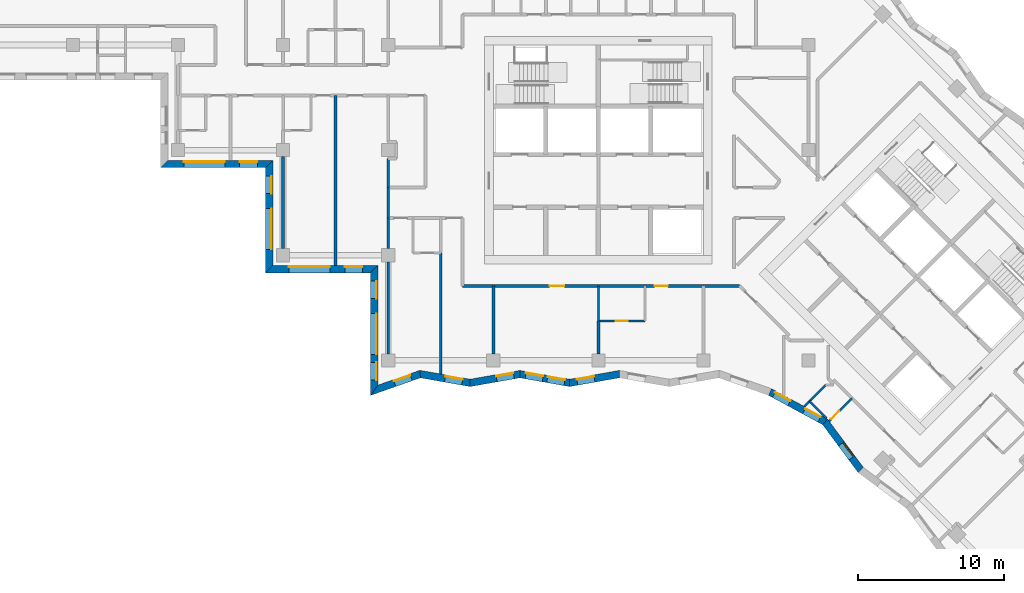
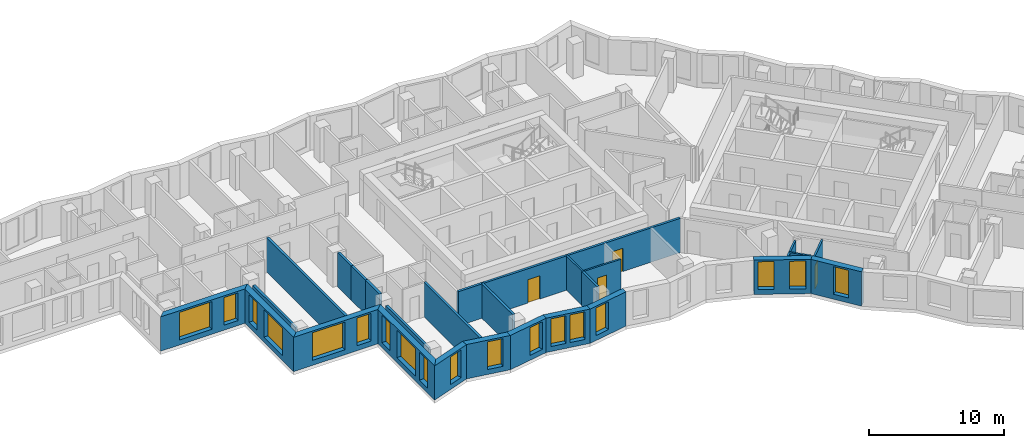
# One storey, part 2 of 12: 26 walls, 18 windows, 4 doors, 22 openings.
"""IFC4 building model written with IfcOpenShell, lengths in metres."""

from ifc_helpers import new_model, si_unit, direction, frame, frame_2d, origin, place, context, subcontext, project, spatial, polyline, rectangle, outline, extrude, material, layer, layer_set, type_object, element, fill, save


model = new_model("IFC4")

# Units and contexts
model_context = context("Model", 3, precision=1e-05, world=origin(), true_north=direction((0.0, 1.0)))
body_context = subcontext(model_context, "Body", "Model", "MODEL_VIEW")
ifc_project = project(units=[si_unit("LENGTHUNIT", "METRE"), si_unit("AREAUNIT", "SQUARE_METRE"), si_unit("VOLUMEUNIT", "CUBIC_METRE"), si_unit("PLANEANGLEUNIT", "RADIAN"), si_unit("MASSUNIT", "GRAM", prefix="KILO")], contexts=[model_context])

# Site, building, storey
site_placement = place(None, origin())
site = spatial("IfcSite", under=ifc_project, at=site_placement, CompositionType="ELEMENT")
building_placement = place(site_placement, origin())
building = spatial("IfcBuilding", under=site, at=building_placement, Name="Windrow Commons", CompositionType="ELEMENT")
storey_placement = place(building_placement, frame((0.0, 0.0, 169.4)))
storey = spatial("IfcBuildingStorey", under=building, at=storey_placement, Name="L46", CompositionType="ELEMENT", Elevation=169.4)

# Wall, openings, windows
ifc_material_1 = material(Name="Brick masonry, red clay brick", Category="masonry")
ifc_layer_1 = layer(ifc_material_1, 0.5)
ifc_layer_set_1 = layer_set([ifc_layer_1], Name="Brick facade wall 500")
wall_type_1 = type_object("IfcWallType", Name="Brick facade wall 500", PredefinedType="SOLIDWALL", material=ifc_layer_set_1)
wall_1_placement = place(storey_placement, frame((35.05, 56.65, 0.0), z_axis=(0.0, 0.0, 1.0), x_axis=(1.0, 0.0, 0.0)))
wall_1 = element("IfcWall", 1, at=wall_1_placement, inside=storey, type_object=wall_type_1, Name="Brick facade wall L46 38", PredefinedType="SOLIDWALL", context=body_context, shape_type="SweptSolid", body=[
    extrude(outline(polyline([(-0.25, -0.25), (6.95, -0.25), (7.45, 0.25), (0.25, 0.25), (-0.25, -0.25)])), origin(), (0.0, 0.0, 1.0), 3.1),
])
opening_1_placement = place(wall_1_placement, frame((1.35, 0.0, 0.45)))
opening_1 = element("IfcOpeningElement", 2, at=opening_1_placement, cuts=wall_1, Name="Opening W1U", PredefinedType="OPENING", context=body_context, shape_type="SweptSolid", body=[
    extrude(rectangle(XDim=2.8, YDim=2.5, at=frame_2d((1.4, 1.25))), frame((0.0, 0.26, 0.0), z_axis=(0.0, -1.0, 0.0), x_axis=(1.0, 0.0, 0.0)), (0.0, 0.0, 1.0), 0.52),
])
opening_2_placement = place(wall_1_placement, frame((5.175, 0.0, 0.45)))
opening_2 = element("IfcOpeningElement", 3, at=opening_2_placement, cuts=wall_1, Name="Opening W7E", PredefinedType="OPENING", context=body_context, shape_type="SweptSolid", body=[
    extrude(rectangle(XDim=1.2, YDim=2.5, at=frame_2d((0.6, 1.25))), frame((0.0, 0.26, 0.0), z_axis=(0.0, -1.0, 0.0), x_axis=(1.0, 0.0, 0.0)), (0.0, 0.0, 1.0), 0.52),
])
ifc_material_2 = material(Name="Clear float glass in anodised aluminium frame", Category="aluminium")
window_type_1 = type_object("IfcWindowType", Name="Window W1U bedroom 2800x2500", PartitioningType="SINGLE_PANEL", PredefinedType="WINDOW", material=ifc_material_2)
window_1_placement = place(opening_1_placement, origin())
window_1 = element("IfcWindow", 4, at=window_1_placement, inside=storey, type_object=window_type_1, Name="Window L46 38.1", OverallHeight=2.5, OverallWidth=2.8, PartitioningType="SINGLE_PANEL", PredefinedType="WINDOW", context=body_context, shape_type="SweptSolid", body=[
    extrude(rectangle(XDim=2.8, YDim=2.5, at=frame_2d((1.4, 1.25))), frame((0.0, 0.18, 0.0), z_axis=(0.0, -1.0, 0.0), x_axis=(1.0, 0.0, 0.0)), (0.0, 0.0, 1.0), 0.06),
])
fill(opening_1, window_1)
ifc_material_3 = material(Name="Clear float glass in anodised aluminium frame", Category="aluminium")
window_type_2 = type_object("IfcWindowType", Name="Window W7 notch 1200x2500", PartitioningType="SINGLE_PANEL", PredefinedType="WINDOW", material=ifc_material_3)
window_2_placement = place(opening_2_placement, origin())
window_2 = element("IfcWindow", 5, at=window_2_placement, inside=storey, type_object=window_type_2, Name="Window L46 38.2", OverallHeight=2.5, OverallWidth=1.2, PartitioningType="SINGLE_PANEL", PredefinedType="WINDOW", context=body_context, shape_type="SweptSolid", body=[
    extrude(rectangle(XDim=1.2, YDim=2.5, at=frame_2d((0.6, 1.25))), frame((0.0, 0.18, 0.0), z_axis=(0.0, -1.0, 0.0), x_axis=(1.0, 0.0, 0.0)), (0.0, 0.0, 1.0), 0.06),
])
fill(opening_2, window_2)

wall_2_placement = place(storey_placement, frame((42.25, 56.65, 0.0), z_axis=(0.0, 0.0, 1.0), x_axis=(0.0, -1.0, 0.0)))
wall_2 = element("IfcWall", 6, at=wall_2_placement, inside=storey, type_object=wall_type_1, Name="Brick facade wall L46 39", PredefinedType="SOLIDWALL", context=body_context, shape_type="SweptSolid", body=[
    extrude(outline(polyline([(0.25, -0.25), (7.45, -0.25), (6.95, 0.25), (-0.25, 0.25), (0.25, -0.25)])), origin(), (0.0, 0.0, 1.0), 3.1),
])
opening_3_placement = place(wall_2_placement, frame((3.05, 0.0, 0.45)))
opening_3 = element("IfcOpeningElement", 7, at=opening_3_placement, cuts=wall_2, Name="Opening W1U", PredefinedType="OPENING", context=body_context, shape_type="SweptSolid", body=[
    extrude(rectangle(XDim=2.8, YDim=2.5, at=frame_2d((1.4, 1.25))), frame((0.0, 0.26, 0.0), z_axis=(0.0, -1.0, 0.0), x_axis=(1.0, 0.0, 0.0)), (0.0, 0.0, 1.0), 0.52),
])
opening_4_placement = place(wall_2_placement, frame((0.825, 0.0, 0.45)))
opening_4 = element("IfcOpeningElement", 8, at=opening_4_placement, cuts=wall_2, Name="Opening W7E", PredefinedType="OPENING", context=body_context, shape_type="SweptSolid", body=[
    extrude(rectangle(XDim=1.2, YDim=2.5, at=frame_2d((0.6, 1.25))), frame((0.0, 0.26, 0.0), z_axis=(0.0, -1.0, 0.0), x_axis=(1.0, 0.0, 0.0)), (0.0, 0.0, 1.0), 0.52),
])
window_3_placement = place(opening_3_placement, origin())
window_3 = element("IfcWindow", 9, at=window_3_placement, inside=storey, type_object=window_type_1, Name="Window L46 39.1", OverallHeight=2.5, OverallWidth=2.8, PartitioningType="SINGLE_PANEL", PredefinedType="WINDOW", context=body_context, shape_type="SweptSolid", body=[
    extrude(rectangle(XDim=2.8, YDim=2.5, at=frame_2d((1.4, 1.25))), frame((0.0, 0.18, 0.0), z_axis=(0.0, -1.0, 0.0), x_axis=(1.0, 0.0, 0.0)), (0.0, 0.0, 1.0), 0.06),
])
fill(opening_3, window_3)
window_4_placement = place(opening_4_placement, origin())
window_4 = element("IfcWindow", 10, at=window_4_placement, inside=storey, type_object=window_type_2, Name="Window L46 39.2", OverallHeight=2.5, OverallWidth=1.2, PartitioningType="SINGLE_PANEL", PredefinedType="WINDOW", context=body_context, shape_type="SweptSolid", body=[
    extrude(rectangle(XDim=1.2, YDim=2.5, at=frame_2d((0.6, 1.25))), frame((0.0, 0.18, 0.0), z_axis=(0.0, -1.0, 0.0), x_axis=(1.0, 0.0, 0.0)), (0.0, 0.0, 1.0), 0.06),
])
fill(opening_4, window_4)

wall_3_placement = place(storey_placement, frame((42.25, 49.45, 0.0), z_axis=(0.0, 0.0, 1.0), x_axis=(1.0, 0.0, 0.0)))
wall_3 = element("IfcWall", 11, at=wall_3_placement, inside=storey, type_object=wall_type_1, Name="Brick facade wall L46 40", PredefinedType="SOLIDWALL", context=body_context, shape_type="SweptSolid", body=[
    extrude(outline(polyline([(-0.25, -0.25), (6.95, -0.25), (7.45, 0.25), (0.25, 0.25), (-0.25, -0.25)])), origin(), (0.0, 0.0, 1.0), 3.1),
])
opening_5_placement = place(wall_3_placement, frame((1.35, 0.0, 0.45)))
opening_5 = element("IfcOpeningElement", 12, at=opening_5_placement, cuts=wall_3, Name="Opening W1U", PredefinedType="OPENING", context=body_context, shape_type="SweptSolid", body=[
    extrude(rectangle(XDim=2.8, YDim=2.5, at=frame_2d((1.4, 1.25))), frame((0.0, 0.26, 0.0), z_axis=(0.0, -1.0, 0.0), x_axis=(1.0, 0.0, 0.0)), (0.0, 0.0, 1.0), 0.52),
])
opening_6_placement = place(wall_3_placement, frame((5.175, 0.0, 0.45)))
opening_6 = element("IfcOpeningElement", 13, at=opening_6_placement, cuts=wall_3, Name="Opening W7E", PredefinedType="OPENING", context=body_context, shape_type="SweptSolid", body=[
    extrude(rectangle(XDim=1.2, YDim=2.5, at=frame_2d((0.6, 1.25))), frame((0.0, 0.26, 0.0), z_axis=(0.0, -1.0, 0.0), x_axis=(1.0, 0.0, 0.0)), (0.0, 0.0, 1.0), 0.52),
])
window_5_placement = place(opening_5_placement, origin())
window_5 = element("IfcWindow", 14, at=window_5_placement, inside=storey, type_object=window_type_1, Name="Window L46 40.1", OverallHeight=2.5, OverallWidth=2.8, PartitioningType="SINGLE_PANEL", PredefinedType="WINDOW", context=body_context, shape_type="SweptSolid", body=[
    extrude(rectangle(XDim=2.8, YDim=2.5, at=frame_2d((1.4, 1.25))), frame((0.0, 0.18, 0.0), z_axis=(0.0, -1.0, 0.0), x_axis=(1.0, 0.0, 0.0)), (0.0, 0.0, 1.0), 0.06),
])
fill(opening_5, window_5)
window_6_placement = place(opening_6_placement, origin())
window_6 = element("IfcWindow", 15, at=window_6_placement, inside=storey, type_object=window_type_2, Name="Window L46 40.2", OverallHeight=2.5, OverallWidth=1.2, PartitioningType="SINGLE_PANEL", PredefinedType="WINDOW", context=body_context, shape_type="SweptSolid", body=[
    extrude(rectangle(XDim=1.2, YDim=2.5, at=frame_2d((0.6, 1.25))), frame((0.0, 0.18, 0.0), z_axis=(0.0, -1.0, 0.0), x_axis=(1.0, 0.0, 0.0)), (0.0, 0.0, 1.0), 0.06),
])
fill(opening_6, window_6)

wall_4_placement = place(storey_placement, frame((49.45, 49.45, 0.0), z_axis=(0.0, 0.0, 1.0), x_axis=(0.0, -1.0, 0.0)))
wall_4 = element("IfcWall", 16, at=wall_4_placement, inside=storey, type_object=wall_type_1, Name="Brick facade wall L46 41", PredefinedType="SOLIDWALL", context=body_context, shape_type="SweptSolid", body=[
    extrude(outline(polyline([(0.25, -0.25), (8.653, -0.25), (7.9462, 0.25), (-0.25, 0.25), (0.25, -0.25)])), origin(), (0.0, 0.0, 1.0), 3.1),
])
opening_7_placement = place(wall_4_placement, frame((3.05, 0.0, 0.45)))
opening_7 = element("IfcOpeningElement", 17, at=opening_7_placement, cuts=wall_4, Name="Opening W1U", PredefinedType="OPENING", context=body_context, shape_type="SweptSolid", body=[
    extrude(rectangle(XDim=2.8, YDim=2.5, at=frame_2d((1.4, 1.25))), frame((0.0, 0.26, 0.0), z_axis=(0.0, -1.0, 0.0), x_axis=(1.0, 0.0, 0.0)), (0.0, 0.0, 1.0), 0.52),
])
opening_8_placement = place(wall_4_placement, frame((0.825, 0.0, 0.45)))
opening_8 = element("IfcOpeningElement", 18, at=opening_8_placement, cuts=wall_4, Name="Opening W7E", PredefinedType="OPENING", context=body_context, shape_type="SweptSolid", body=[
    extrude(rectangle(XDim=1.2, YDim=2.5, at=frame_2d((0.6, 1.25))), frame((0.0, 0.26, 0.0), z_axis=(0.0, -1.0, 0.0), x_axis=(1.0, 0.0, 0.0)), (0.0, 0.0, 1.0), 0.52),
])
opening_9_placement = place(wall_4_placement, frame((6.3981, 0.0, 0.45)))
opening_9 = element("IfcOpeningElement", 19, at=opening_9_placement, cuts=wall_4, Name="Opening W7E", PredefinedType="OPENING", context=body_context, shape_type="SweptSolid", body=[
    extrude(rectangle(XDim=1.2, YDim=2.5, at=frame_2d((0.6, 1.25))), frame((0.0, 0.26, 0.0), z_axis=(0.0, -1.0, 0.0), x_axis=(1.0, 0.0, 0.0)), (0.0, 0.0, 1.0), 0.52),
])
window_7_placement = place(opening_7_placement, origin())
window_7 = element("IfcWindow", 20, at=window_7_placement, inside=storey, type_object=window_type_1, Name="Window L46 41.1", OverallHeight=2.5, OverallWidth=2.8, PartitioningType="SINGLE_PANEL", PredefinedType="WINDOW", context=body_context, shape_type="SweptSolid", body=[
    extrude(rectangle(XDim=2.8, YDim=2.5, at=frame_2d((1.4, 1.25))), frame((0.0, 0.18, 0.0), z_axis=(0.0, -1.0, 0.0), x_axis=(1.0, 0.0, 0.0)), (0.0, 0.0, 1.0), 0.06),
])
fill(opening_7, window_7)
window_8_placement = place(opening_8_placement, origin())
window_8 = element("IfcWindow", 21, at=window_8_placement, inside=storey, type_object=window_type_2, Name="Window L46 41.2", OverallHeight=2.5, OverallWidth=1.2, PartitioningType="SINGLE_PANEL", PredefinedType="WINDOW", context=body_context, shape_type="SweptSolid", body=[
    extrude(rectangle(XDim=1.2, YDim=2.5, at=frame_2d((0.6, 1.25))), frame((0.0, 0.18, 0.0), z_axis=(0.0, -1.0, 0.0), x_axis=(1.0, 0.0, 0.0)), (0.0, 0.0, 1.0), 0.06),
])
fill(opening_8, window_8)
window_9_placement = place(opening_9_placement, origin())
window_9 = element("IfcWindow", 22, at=window_9_placement, inside=storey, type_object=window_type_2, Name="Window L46 41.3", OverallHeight=2.5, OverallWidth=1.2, PartitioningType="SINGLE_PANEL", PredefinedType="WINDOW", context=body_context, shape_type="SweptSolid", body=[
    extrude(rectangle(XDim=1.2, YDim=2.5, at=frame_2d((0.6, 1.25))), frame((0.0, 0.18, 0.0), z_axis=(0.0, -1.0, 0.0), x_axis=(1.0, 0.0, 0.0)), (0.0, 0.0, 1.0), 0.06),
])
fill(opening_9, window_9)

# Wall, opening, window
wall_5_placement = place(storey_placement, frame((49.45, 41.1504, 0.0), z_axis=(0.0, 0.0, 1.0), x_axis=(0.9429548009, 0.3329207766, 0.0)))
wall_5 = element("IfcWall", 23, at=wall_5_placement, inside=storey, type_object=wall_type_1, Name="Brick facade wall L46 42", PredefinedType="SOLIDWALL", context=body_context, shape_type="SweptSolid", body=[
    extrude(outline(polyline([(-0.3534, -0.25), (3.2599, -0.25), (3.3915, 0.25), (0.3534, 0.25), (-0.3534, -0.25)])), origin(), (0.0, 0.0, 1.0), 3.1),
])
opening_10_placement = place(wall_5_placement, frame((1.4666, 0.0, 0.45)))
opening_10 = element("IfcOpeningElement", 24, at=opening_10_placement, cuts=wall_5, Name="Opening W7E", PredefinedType="OPENING", context=body_context, shape_type="SweptSolid", body=[
    extrude(rectangle(XDim=1.2, YDim=2.5, at=frame_2d((0.6, 1.25))), frame((0.0, 0.26, 0.0), z_axis=(0.0, -1.0, 0.0), x_axis=(1.0, 0.0, 0.0)), (0.0, 0.0, 1.0), 0.52),
])
window_10_placement = place(opening_10_placement, origin())
window_10 = element("IfcWindow", 25, at=window_10_placement, inside=storey, type_object=window_type_2, Name="Window L46 42.1", OverallHeight=2.5, OverallWidth=1.2, PartitioningType="SINGLE_PANEL", PredefinedType="WINDOW", context=body_context, shape_type="SweptSolid", body=[
    extrude(rectangle(XDim=1.2, YDim=2.5, at=frame_2d((0.6, 1.25))), frame((0.0, 0.18, 0.0), z_axis=(0.0, -1.0, 0.0), x_axis=(1.0, 0.0, 0.0)), (0.0, 0.0, 1.0), 0.06),
])
fill(opening_10, window_10)

wall_6_placement = place(storey_placement, frame((52.586, 42.2576, 0.0), z_axis=(0.0, 0.0, 1.0), x_axis=(0.9847004616, -0.1742555624, 0.0)))
wall_6 = element("IfcWall", 26, at=wall_6_placement, inside=storey, type_object=wall_type_1, Name="Brick facade wall L46 43", PredefinedType="SOLIDWALL", context=body_context, shape_type="SweptSolid", body=[
    extrude(outline(polyline([(0.0658, -0.25), (3.5259, -0.25), (3.4374, 0.25), (-0.0658, 0.25), (0.0658, -0.25)])), origin(), (0.0, 0.0, 1.0), 3.1),
])
opening_11_placement = place(wall_6_placement, frame((1.7367, 0.0, 0.45)))
opening_11 = element("IfcOpeningElement", 27, at=opening_11_placement, cuts=wall_6, Name="Opening W7E", PredefinedType="OPENING", context=body_context, shape_type="SweptSolid", body=[
    extrude(rectangle(XDim=1.2, YDim=2.5, at=frame_2d((0.6, 1.25))), frame((0.0, 0.26, 0.0), z_axis=(0.0, -1.0, 0.0), x_axis=(1.0, 0.0, 0.0)), (0.0, 0.0, 1.0), 0.52),
])
window_11_placement = place(opening_11_placement, origin())
window_11 = element("IfcWindow", 28, at=window_11_placement, inside=storey, type_object=window_type_2, Name="Window L46 43.1", OverallHeight=2.5, OverallWidth=1.2, PartitioningType="SINGLE_PANEL", PredefinedType="WINDOW", context=body_context, shape_type="SweptSolid", body=[
    extrude(rectangle(XDim=1.2, YDim=2.5, at=frame_2d((0.6, 1.25))), frame((0.0, 0.18, 0.0), z_axis=(0.0, -1.0, 0.0), x_axis=(1.0, 0.0, 0.0)), (0.0, 0.0, 1.0), 0.06),
])
fill(opening_11, window_11)

wall_7_placement = place(storey_placement, frame((56.0144, 41.6509, 0.0), z_axis=(0.0, 0.0, 1.0), x_axis=(0.9846979018, 0.1742700266, 0.0)))
wall_7 = element("IfcWall", 29, at=wall_7_placement, inside=storey, type_object=wall_type_1, Name="Brick facade wall L46 44", PredefinedType="SOLIDWALL", context=body_context, shape_type="SweptSolid", body=[
    extrude(outline(polyline([(-0.0442, -0.25), (3.4159, -0.25), (3.5044, 0.25), (0.0442, 0.25), (-0.0442, -0.25)])), origin(), (0.0, 0.0, 1.0), 3.1),
])
opening_12_placement = place(wall_7_placement, frame((1.8352, 0.0, 0.45)))
opening_12 = element("IfcOpeningElement", 30, at=opening_12_placement, cuts=wall_7, Name="Opening W7E", PredefinedType="OPENING", context=body_context, shape_type="SweptSolid", body=[
    extrude(rectangle(XDim=1.2, YDim=2.5, at=frame_2d((0.6, 1.25))), frame((0.0, 0.26, 0.0), z_axis=(0.0, -1.0, 0.0), x_axis=(1.0, 0.0, 0.0)), (0.0, 0.0, 1.0), 0.52),
])
window_12_placement = place(opening_12_placement, origin())
window_12 = element("IfcWindow", 31, at=window_12_placement, inside=storey, type_object=window_type_2, Name="Window L46 44.1", OverallHeight=2.5, OverallWidth=1.2, PartitioningType="SINGLE_PANEL", PredefinedType="WINDOW", context=body_context, shape_type="SweptSolid", body=[
    extrude(rectangle(XDim=1.2, YDim=2.5, at=frame_2d((0.6, 1.25))), frame((0.0, 0.18, 0.0), z_axis=(0.0, -1.0, 0.0), x_axis=(1.0, 0.0, 0.0)), (0.0, 0.0, 1.0), 0.06),
])
fill(opening_12, window_12)

# Wall, openings, windows
wall_8_placement = place(storey_placement, frame((59.4216, 42.2539, 0.0), z_axis=(0.0, 0.0, 1.0), x_axis=(0.9846979018, -0.1742700266, 0.0)))
wall_8 = element("IfcWall", 32, at=wall_8_placement, inside=storey, type_object=wall_type_1, Name="Brick facade wall L46 45", PredefinedType="SOLIDWALL", context=body_context, shape_type="SweptSolid", body=[
    extrude(outline(polyline([(0.0442, -0.25), (3.5044, -0.25), (3.4159, 0.25), (-0.0442, 0.25), (0.0442, -0.25)])), origin(), (0.0, 0.0, 1.0), 3.1),
])
opening_13_placement = place(wall_8_placement, frame((0.403, 0.0, 0.45)))
opening_13 = element("IfcOpeningElement", 33, at=opening_13_placement, cuts=wall_8, Name="Opening W7E", PredefinedType="OPENING", context=body_context, shape_type="SweptSolid", body=[
    extrude(rectangle(XDim=1.2, YDim=2.5, at=frame_2d((0.6, 1.25))), frame((0.0, 0.26, 0.0), z_axis=(0.0, -1.0, 0.0), x_axis=(1.0, 0.0, 0.0)), (0.0, 0.0, 1.0), 0.52),
])
opening_14_placement = place(wall_8_placement, frame((1.911, 0.0, 0.45)))
opening_14 = element("IfcOpeningElement", 34, at=opening_14_placement, cuts=wall_8, Name="Opening W7E", PredefinedType="OPENING", context=body_context, shape_type="SweptSolid", body=[
    extrude(rectangle(XDim=1.2, YDim=2.5, at=frame_2d((0.6, 1.25))), frame((0.0, 0.26, 0.0), z_axis=(0.0, -1.0, 0.0), x_axis=(1.0, 0.0, 0.0)), (0.0, 0.0, 1.0), 0.52),
])
window_13_placement = place(opening_13_placement, origin())
window_13 = element("IfcWindow", 35, at=window_13_placement, inside=storey, type_object=window_type_2, Name="Window L46 45.1", OverallHeight=2.5, OverallWidth=1.2, PartitioningType="SINGLE_PANEL", PredefinedType="WINDOW", context=body_context, shape_type="SweptSolid", body=[
    extrude(rectangle(XDim=1.2, YDim=2.5, at=frame_2d((0.6, 1.25))), frame((0.0, 0.18, 0.0), z_axis=(0.0, -1.0, 0.0), x_axis=(1.0, 0.0, 0.0)), (0.0, 0.0, 1.0), 0.06),
])
fill(opening_13, window_13)
window_14_placement = place(opening_14_placement, origin())
window_14 = element("IfcWindow", 36, at=window_14_placement, inside=storey, type_object=window_type_2, Name="Window L46 45.2", OverallHeight=2.5, OverallWidth=1.2, PartitioningType="SINGLE_PANEL", PredefinedType="WINDOW", context=body_context, shape_type="SweptSolid", body=[
    extrude(rectangle(XDim=1.2, YDim=2.5, at=frame_2d((0.6, 1.25))), frame((0.0, 0.18, 0.0), z_axis=(0.0, -1.0, 0.0), x_axis=(1.0, 0.0, 0.0)), (0.0, 0.0, 1.0), 0.06),
])
fill(opening_14, window_14)

# Wall, opening, window
wall_9_placement = place(storey_placement, frame((62.8288, 41.6509, 0.0), z_axis=(0.0, 0.0, 1.0), x_axis=(0.9846979018, 0.1742700266, 0.0)))
wall_9 = element("IfcWall", 37, at=wall_9_placement, inside=storey, type_object=wall_type_1, Name="Brick facade wall L46 46", PredefinedType="SOLIDWALL", context=body_context, shape_type="SweptSolid", body=[
    extrude(outline(polyline([(-0.0442, -0.25), (3.4159, -0.25), (3.5044, 0.25), (0.0442, 0.25), (-0.0442, -0.25)])), origin(), (0.0, 0.0, 1.0), 3.1),
])
opening_15_placement = place(wall_9_placement, frame((0.523, 0.0, 0.45)))
opening_15 = element("IfcOpeningElement", 38, at=opening_15_placement, cuts=wall_9, Name="Opening W7E", PredefinedType="OPENING", context=body_context, shape_type="SweptSolid", body=[
    extrude(rectangle(XDim=1.2, YDim=2.5, at=frame_2d((0.6, 1.25))), frame((0.0, 0.26, 0.0), z_axis=(0.0, -1.0, 0.0), x_axis=(1.0, 0.0, 0.0)), (0.0, 0.0, 1.0), 0.52),
])
window_15_placement = place(opening_15_placement, origin())
window_15 = element("IfcWindow", 39, at=window_15_placement, inside=storey, type_object=window_type_2, Name="Window L46 46.1", OverallHeight=2.5, OverallWidth=1.2, PartitioningType="SINGLE_PANEL", PredefinedType="WINDOW", context=body_context, shape_type="SweptSolid", body=[
    extrude(rectangle(XDim=1.2, YDim=2.5, at=frame_2d((0.6, 1.25))), frame((0.0, 0.18, 0.0), z_axis=(0.0, -1.0, 0.0), x_axis=(1.0, 0.0, 0.0)), (0.0, 0.0, 1.0), 0.06),
])
fill(opening_15, window_15)

# Wall, openings, windows
wall_10_placement = place(storey_placement, frame((76.5594, 41.0262, 0.0), z_axis=(0.0, 0.0, 1.0), x_axis=(0.8793114622, -0.4762471547, 0.0)))
wall_10 = element("IfcWall", 40, at=wall_10_placement, inside=storey, type_object=wall_type_1, Name="Brick facade wall L46 50", PredefinedType="SOLIDWALL", context=body_context, shape_type="SweptSolid", body=[
    extrude(outline(polyline([(0.0197, -0.25), (4.2406, -0.25), (4.3516, 0.25), (-0.0197, 0.25), (0.0197, -0.25)])), origin(), (0.0, 0.0, 1.0), 3.1),
])
opening_16_placement = place(wall_10_placement, frame((0.3166, 0.0, 0.45)))
opening_16 = element("IfcOpeningElement", 41, at=opening_16_placement, cuts=wall_10, Name="Opening W7E", PredefinedType="OPENING", context=body_context, shape_type="SweptSolid", body=[
    extrude(rectangle(XDim=1.2, YDim=2.5, at=frame_2d((0.6, 1.25))), frame((0.0, 0.26, 0.0), z_axis=(0.0, -1.0, 0.0), x_axis=(1.0, 0.0, 0.0)), (0.0, 0.0, 1.0), 0.52),
])
opening_17_placement = place(wall_10_placement, frame((2.6646, 0.0, 0.45)))
opening_17 = element("IfcOpeningElement", 42, at=opening_17_placement, cuts=wall_10, Name="Opening W7E", PredefinedType="OPENING", context=body_context, shape_type="SweptSolid", body=[
    extrude(rectangle(XDim=1.2, YDim=2.5, at=frame_2d((0.6, 1.25))), frame((0.0, 0.26, 0.0), z_axis=(0.0, -1.0, 0.0), x_axis=(1.0, 0.0, 0.0)), (0.0, 0.0, 1.0), 0.52),
])
window_16_placement = place(opening_16_placement, origin())
window_16 = element("IfcWindow", 43, at=window_16_placement, inside=storey, type_object=window_type_2, Name="Window L46 50.1", OverallHeight=2.5, OverallWidth=1.2, PartitioningType="SINGLE_PANEL", PredefinedType="WINDOW", context=body_context, shape_type="SweptSolid", body=[
    extrude(rectangle(XDim=1.2, YDim=2.5, at=frame_2d((0.6, 1.25))), frame((0.0, 0.17, 0.0), z_axis=(0.0, -1.0, 0.0), x_axis=(1.0, 0.0, 0.0)), (0.0, 0.0, 1.0), 0.06),
])
fill(opening_16, window_16)
window_17_placement = place(opening_17_placement, origin())
window_17 = element("IfcWindow", 44, at=window_17_placement, inside=storey, type_object=window_type_2, Name="Window L46 50.2", OverallHeight=2.5, OverallWidth=1.2, PartitioningType="SINGLE_PANEL", PredefinedType="WINDOW", context=body_context, shape_type="SweptSolid", body=[
    extrude(rectangle(XDim=1.2, YDim=2.5, at=frame_2d((0.6, 1.25))), frame((0.0, 0.18, 0.0), z_axis=(0.0, -1.0, 0.0), x_axis=(1.0, 0.0, 0.0)), (0.0, 0.0, 1.0), 0.06),
])
fill(opening_17, window_17)

# Wall, opening, window
wall_11_placement = place(storey_placement, frame((80.337, 38.9802, 0.0), z_axis=(0.0, 0.0, 1.0), x_axis=(0.5951291823, -0.8036300495, 0.0)))
wall_11 = element("IfcWall", 45, at=wall_11_placement, inside=storey, type_object=wall_type_1, Name="Brick facade wall L46 51", PredefinedType="SOLIDWALL", context=body_context, shape_type="SweptSolid", body=[
    extrude(outline(polyline([(0.0555, -0.25), (4.1461, -0.25), (4.0716, 0.25), (-0.0555, 0.25), (0.0555, -0.25)])), origin(), (0.0, 0.0, 1.0), 3.1),
])
opening_18_placement = place(wall_11_placement, frame((1.8653, 0.0, 0.45)))
opening_18 = element("IfcOpeningElement", 46, at=opening_18_placement, cuts=wall_11, Name="Opening W7E", PredefinedType="OPENING", context=body_context, shape_type="SweptSolid", body=[
    extrude(rectangle(XDim=1.2, YDim=2.5, at=frame_2d((0.6, 1.25))), frame((0.0, 0.26, 0.0), z_axis=(0.0, -1.0, 0.0), x_axis=(1.0, 0.0, 0.0)), (0.0, 0.0, 1.0), 0.52),
])
window_18_placement = place(opening_18_placement, origin())
window_18 = element("IfcWindow", 47, at=window_18_placement, inside=storey, type_object=window_type_2, Name="Window L46 51.1", OverallHeight=2.5, OverallWidth=1.2, PartitioningType="SINGLE_PANEL", PredefinedType="WINDOW", context=body_context, shape_type="SweptSolid", body=[
    extrude(rectangle(XDim=1.2, YDim=2.5, at=frame_2d((0.6, 1.25))), frame((0.0, 0.18, 0.0), z_axis=(0.0, -1.0, 0.0), x_axis=(1.0, 0.0, 0.0)), (0.0, 0.0, 1.0), 0.06),
])
fill(opening_18, window_18)

# Wall, openings, doors
ifc_material_4 = material(Name="Blockwork partition", Category="masonry")
ifc_layer_2 = layer(ifc_material_4, 0.2)
ifc_layer_set_2 = layer_set([ifc_layer_2], Name="IW-CORRIDOR-200")
wall_type_2 = type_object("IfcWallType", Name="IW-CORRIDOR-200", PredefinedType="PARTITIONING", material=ifc_layer_set_2)
wall_12_placement = place(storey_placement, frame((55.5, 48.3, 0.0), z_axis=(0.0, 0.0, 1.0), x_axis=(1.0, 0.0, 0.0)))
wall_12 = element("IfcWall", 48, at=wall_12_placement, inside=storey, type_object=wall_type_2, Name="W-L46-W001", PredefinedType="PARTITIONING", context=body_context, shape_type="SweptSolid", body=[
    extrude(rectangle(XDim=18.974, YDim=0.2, at=frame_2d((9.487, 0.0))), origin(), (0.0, 0.0, 1.0), 3.1),
])
opening_19_placement = place(wall_12_placement, frame((5.9625, 0.0, 0.0)))
opening_19 = element("IfcOpeningElement", 49, at=opening_19_placement, cuts=wall_12, Name="Opening D310F", PredefinedType="OPENING", context=body_context, shape_type="SweptSolid", body=[
    extrude(rectangle(XDim=1.0, YDim=2.1, at=frame_2d((0.5, 1.05))), frame((0.0, 0.11, 0.0), z_axis=(0.0, -1.0, 0.0), x_axis=(1.0, 0.0, 0.0)), (0.0, 0.0, 1.0), 0.22),
])
opening_20_placement = place(wall_12_placement, frame((13.1607, 0.0, 0.0)))
opening_20 = element("IfcOpeningElement", 50, at=opening_20_placement, cuts=wall_12, Name="Opening D109F", PredefinedType="OPENING", context=body_context, shape_type="SweptSolid", body=[
    extrude(rectangle(XDim=0.9, YDim=2.1, at=frame_2d((0.45, 1.05))), frame((0.0, 0.11, 0.0), z_axis=(0.0, -1.0, 0.0), x_axis=(1.0, 0.0, 0.0)), (0.0, 0.0, 1.0), 0.22),
])
ifc_material_5 = material(Name="Timber door leaf", Category="wood")
door_type_1 = type_object("IfcDoorType", Name="DT-AMENITY-1000", OperationType="SINGLE_SWING_LEFT", PredefinedType="DOOR", material=ifc_material_5)
door_1_placement = place(opening_19_placement, origin())
door_1 = element("IfcDoor", 51, at=door_1_placement, inside=storey, type_object=door_type_1, Name="D-L46-D036", OperationType="SINGLE_SWING_LEFT", OverallHeight=2.1, OverallWidth=1.0, PredefinedType="DOOR", context=body_context, shape_type="SweptSolid", body=[
    extrude(rectangle(XDim=1.0, YDim=2.1, at=frame_2d((0.5, 1.05))), frame((0.0, 0.025, 0.0), z_axis=(0.0, -1.0, 0.0), x_axis=(1.0, 0.0, 0.0)), (0.0, 0.0, 1.0), 0.05),
])
fill(opening_19, door_1)
ifc_material_6 = material(Name="Timber door leaf", Category="wood")
door_type_2 = type_object("IfcDoorType", Name="DT-BEDROOM-900", OperationType="SINGLE_SWING_LEFT", PredefinedType="DOOR", material=ifc_material_6)
door_2_placement = place(opening_20_placement, origin())
door_2 = element("IfcDoor", 52, at=door_2_placement, inside=storey, type_object=door_type_2, Name="D-L46-D037", OperationType="SINGLE_SWING_LEFT", OverallHeight=2.1, OverallWidth=0.9, PredefinedType="DOOR", context=body_context, shape_type="SweptSolid", body=[
    extrude(rectangle(XDim=0.9, YDim=2.1, at=frame_2d((0.45, 1.05))), frame((0.0, 0.025, 0.0), z_axis=(0.0, -1.0, 0.0), x_axis=(1.0, 0.0, 0.0)), (0.0, 0.0, 1.0), 0.05),
])
fill(opening_20, door_2)

# Wall
wall_13_placement = place(storey_placement, frame((50.4, 52.95, 0.0), z_axis=(0.0, 0.0, 1.0), x_axis=(0.0, 1.0, 0.0)))
element("IfcWall", 53, at=wall_13_placement, inside=storey, type_object=wall_type_2, Name="W-L46-W112", PredefinedType="PARTITIONING", context=body_context, shape_type="SweptSolid", body=[
    extrude(rectangle(XDim=2.1, YDim=0.2, at=frame_2d((1.05, 0.0))), origin(), (0.0, 0.0, 1.0), 3.1),
])

# Wall, opening, door
ifc_material_7 = material(Name="Blockwork partition", Category="masonry")
ifc_layer_3 = layer(ifc_material_7, 0.15)
ifc_layer_set_3 = layer_set([ifc_layer_3], Name="IW-ENSUITE-150")
wall_type_3 = type_object("IfcWallType", Name="IW-ENSUITE-150", PredefinedType="PARTITIONING", material=ifc_layer_set_3)
wall_14_placement = place(storey_placement, frame((64.8, 45.9, 0.0), z_axis=(0.0, 0.0, 1.0), x_axis=(1.0, 0.0, 0.0)))
wall_14 = element("IfcWall", 54, at=wall_14_placement, inside=storey, type_object=wall_type_3, Name="W-L46-W057", PredefinedType="PARTITIONING", context=body_context, shape_type="SweptSolid", body=[
    extrude(rectangle(XDim=3.2, YDim=0.15, at=frame_2d((1.6, 0.0))), origin(), (0.0, 0.0, 1.0), 3.1),
])
opening_21_placement = place(wall_14_placement, frame((1.1958, 0.0, 0.0)))
opening_21 = element("IfcOpeningElement", 55, at=opening_21_placement, cuts=wall_14, Name="Opening D208N", PredefinedType="OPENING", context=body_context, shape_type="SweptSolid", body=[
    extrude(rectangle(XDim=0.8, YDim=2.1, at=frame_2d((0.4, 1.05))), frame((0.0, 0.085, 0.0), z_axis=(0.0, -1.0, 0.0), x_axis=(1.0, 0.0, 0.0)), (0.0, 0.0, 1.0), 0.17),
])
ifc_material_8 = material(Name="Timber door leaf", Category="wood")
door_type_3 = type_object("IfcDoorType", Name="DT-ENSUITE-800", OperationType="SINGLE_SWING_LEFT", PredefinedType="DOOR", material=ifc_material_8)
door_3_placement = place(opening_21_placement, origin())
door_3 = element("IfcDoor", 56, at=door_3_placement, inside=storey, type_object=door_type_3, Name="D-L46-D038", OperationType="SINGLE_SWING_RIGHT", OverallHeight=2.1, OverallWidth=0.8, PredefinedType="DOOR", context=body_context, shape_type="SweptSolid", body=[
    extrude(rectangle(XDim=0.8, YDim=2.1, at=frame_2d((0.4, 1.05))), frame((0.0, 0.025, 0.0), z_axis=(0.0, -1.0, 0.0), x_axis=(1.0, 0.0, 0.0)), (0.0, 0.0, 1.0), 0.05),
])
fill(opening_21, door_3)

# Wall
wall_15_placement = place(storey_placement, frame((64.8, 45.9, 0.0), z_axis=(0.0, 0.0, 1.0), x_axis=(0.0, 1.0, 0.0)))
element("IfcWall", 57, at=wall_15_placement, inside=storey, type_object=wall_type_3, Name="W-L46-W078", PredefinedType="PARTITIONING", context=body_context, shape_type="SweptSolid", body=[
    extrude(rectangle(XDim=2.4, YDim=0.15, at=frame_2d((1.2, 0.0))), origin(), (0.0, 0.0, 1.0), 3.1),
])

# Wall, opening, door
wall_16_placement = place(storey_placement, frame((80.6038, 39.04, 0.0), z_axis=(0.0, 0.0, 1.0), x_axis=(0.7071067812, 0.7071067812, 0.0)))
wall_16 = element("IfcWall", 58, at=wall_16_placement, inside=storey, type_object=wall_type_3, Name="W-L46-W109", PredefinedType="PARTITIONING", context=body_context, shape_type="SweptSolid", body=[
    extrude(rectangle(XDim=2.2134, YDim=0.15, at=frame_2d((1.1067, 0.0))), origin(), (0.0, 0.0, 1.0), 3.1),
])
opening_22_placement = place(wall_16_placement, frame((0.1765, 0.0, 0.0)))
opening_22 = element("IfcOpeningElement", 59, at=opening_22_placement, cuts=wall_16, Name="Opening D208N", PredefinedType="OPENING", context=body_context, shape_type="SweptSolid", body=[
    extrude(rectangle(XDim=0.8, YDim=2.1, at=frame_2d((0.4, 1.05))), frame((0.0, 0.085, 0.0), z_axis=(0.0, -1.0, 0.0), x_axis=(1.0, 0.0, 0.0)), (0.0, 0.0, 1.0), 0.17),
])
door_4_placement = place(opening_22_placement, origin())
door_4 = element("IfcDoor", 60, at=door_4_placement, inside=storey, type_object=door_type_3, Name="D-L46-D050", OperationType="SINGLE_SWING_RIGHT", OverallHeight=2.1, OverallWidth=0.8, PredefinedType="DOOR", context=body_context, shape_type="SweptSolid", body=[
    extrude(rectangle(XDim=0.8, YDim=2.1, at=frame_2d((0.4, 1.05))), frame((0.0, 0.025, 0.0), z_axis=(0.0, -1.0, 0.0), x_axis=(1.0, 0.0, 0.0)), (0.0, 0.0, 1.0), 0.05),
])
fill(opening_22, door_4)

# Walls
wall_17_placement = place(storey_placement, frame((78.9127, 40.0359, 0.0), z_axis=(0.0, 0.0, 1.0), x_axis=(0.7071067812, 0.7071067812, 0.0)))
element("IfcWall", 61, at=wall_17_placement, inside=storey, type_object=wall_type_3, Name="W-L46-W115", PredefinedType="PARTITIONING", context=body_context, shape_type="SweptSolid", body=[
    extrude(rectangle(XDim=2.0714, YDim=0.15, at=frame_2d((1.0357, 0.0))), origin(), (0.0, 0.0, 1.0), 3.1),
])
wall_18_placement = place(storey_placement, frame((79.2673, 40.3893, 0.0), z_axis=(0.0, 0.0, 1.0), x_axis=(0.7071067812, -0.7071067812, 0.0)))
element("IfcWall", 62, at=wall_18_placement, inside=storey, type_object=wall_type_3, Name="W-L46-W128", PredefinedType="PARTITIONING", context=body_context, shape_type="SweptSolid", body=[
    extrude(rectangle(XDim=1.6329, YDim=0.15, at=frame_2d((0.8165, 0.0))), origin(), (0.0, 0.0, 1.0), 3.1),
])
ifc_material_9 = material(Name="Blockwork partition", Category="masonry")
ifc_layer_4 = layer(ifc_material_9, 0.2)
ifc_layer_set_4 = layer_set([ifc_layer_4], Name="IW-PARTY-200")
wall_type_4 = type_object("IfcWallType", Name="IW-PARTY-200", PredefinedType="PARTITIONING", material=ifc_layer_set_4)
wall_19_placement = place(storey_placement, frame((46.8, 49.7, 0.0), z_axis=(0.0, 0.0, 1.0), x_axis=(0.0, 1.0, 0.0)))
element("IfcWall", 63, at=wall_19_placement, inside=storey, type_object=wall_type_4, Name="W-L46-W008", PredefinedType="PARTITIONING", context=body_context, shape_type="SweptSolid", body=[
    extrude(rectangle(XDim=11.65, YDim=0.2, at=frame_2d((5.825, 0.0))), origin(), (0.0, 0.0, 1.0), 3.1),
])
wall_20_placement = place(storey_placement, frame((54.0, 42.2613, 0.0), z_axis=(0.0, 0.0, 1.0), x_axis=(0.0, 1.0, 0.0)))
element("IfcWall", 64, at=wall_20_placement, inside=storey, type_object=wall_type_4, Name="W-L46-W013", PredefinedType="PARTITIONING", context=body_context, shape_type="SweptSolid", body=[
    extrude(rectangle(XDim=8.2887, YDim=0.2, at=frame_2d((4.1444, 0.0))), origin(), (0.0, 0.0, 1.0), 3.1),
])
for number, where, z_axis, x_axis, name in (
    (65, (50.4, 43.65, 0.0), (0.0, 0.0, 1.0), (0.0, 1.0, 0.0), "W-L46-W022"),
    (66, (43.2, 50.85, 0.0), (0.0, 0.0, 1.0), (0.0, 1.0, 0.0), "W-L46-W024"),
):
    element("IfcWall", number, at=place(storey_placement, frame(where, z_axis=z_axis, x_axis=x_axis)), inside=storey, type_object=wall_type_4, Name=name, PredefinedType="PARTITIONING", context=body_context, shape_type="SweptSolid", body=[
        extrude(rectangle(XDim=6.3, YDim=0.2, at=frame_2d((3.15, 0.0))), origin(), (0.0, 0.0, 1.0), 2.6),
    ])
wall_21_placement = place(storey_placement, frame((57.6, 43.65, 0.0), z_axis=(0.0, 0.0, 1.0), x_axis=(0.0, 1.0, 0.0)))
element("IfcWall", 67, at=wall_21_placement, inside=storey, type_object=wall_type_4, Name="W-L46-W042", PredefinedType="PARTITIONING", context=body_context, shape_type="SweptSolid", body=[
    extrude(rectangle(XDim=4.65, YDim=0.2, at=frame_2d((2.325, 0.0))), origin(), (0.0, 0.0, 1.0), 3.1),
])
wall_22_placement = place(storey_placement, frame((64.8, 43.65, 0.0), z_axis=(0.0, 0.0, 1.0), x_axis=(0.0, 1.0, 0.0)))
element("IfcWall", 68, at=wall_22_placement, inside=storey, type_object=wall_type_4, Name="W-L46-W104", PredefinedType="PARTITIONING", context=body_context, shape_type="SweptSolid", body=[
    extrude(rectangle(XDim=2.25, YDim=0.2, at=frame_2d((1.125, 0.0))), origin(), (0.0, 0.0, 1.0), 3.1),
])
wall_23_placement = place(storey_placement, frame((50.4, 50.85, 0.0), z_axis=(0.0, 0.0, 1.0), x_axis=(0.0, 1.0, 0.0)))
element("IfcWall", 69, at=wall_23_placement, inside=storey, type_object=wall_type_4, Name="W-L46-W111", PredefinedType="PARTITIONING", context=body_context, shape_type="SweptSolid", body=[
    extrude(rectangle(XDim=2.1, YDim=0.2, at=frame_2d((1.05, 0.0))), origin(), (0.0, 0.0, 1.0), 3.1),
])
wall_24_placement = place(storey_placement, frame((50.4, 55.05, 0.0), z_axis=(0.0, 0.0, 1.0), x_axis=(0.0, 1.0, 0.0)))
element("IfcWall", 70, at=wall_24_placement, inside=storey, type_object=wall_type_4, Name="W-L46-W116", PredefinedType="PARTITIONING", context=body_context, shape_type="SweptSolid", body=[
    extrude(rectangle(XDim=1.994, YDim=0.2, at=frame_2d((0.997, 0.0))), origin(), (0.0, 0.0, 1.0), 3.1),
])

save(model, "model.ifc")
